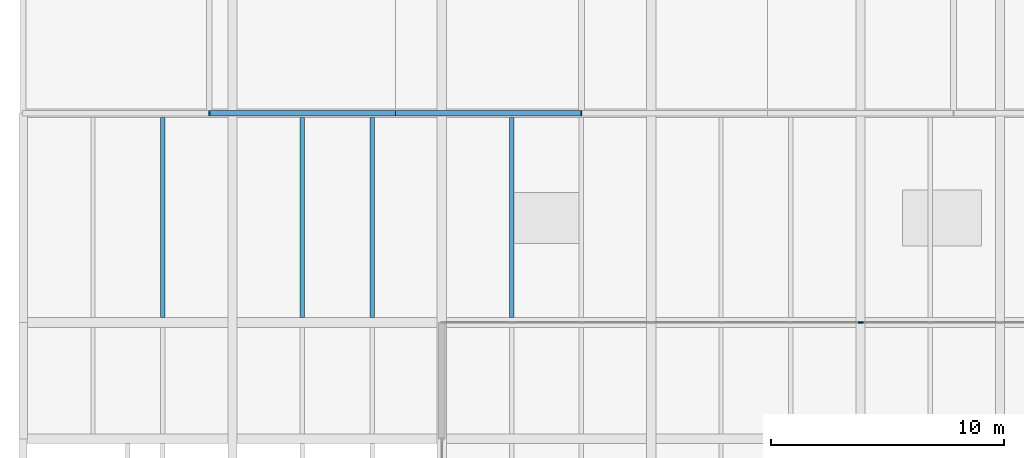
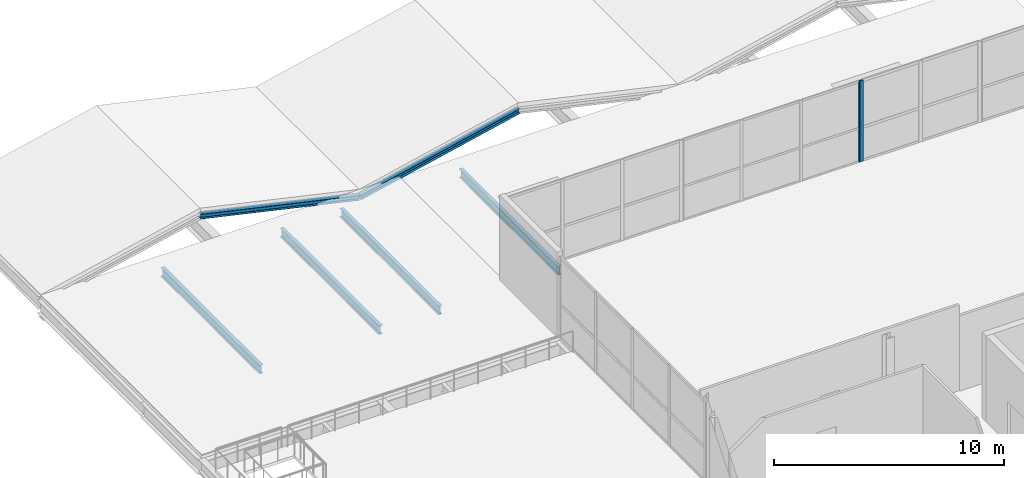
# One storey, part 28 of 50: 6 beams, 2 members, 2 elements without a shape of their own.
"""IFC4 building model written with IfcOpenShell, lengths in metres."""

from ifc_helpers import new_model, si_unit, direction, frame, origin, origin_2d, place, context, subcontext, project, spatial, rectangle, i_section, extrude, material, layer, layer_set, material_profile, profile_set, type_object, element, aggregate, save


model = new_model("IFC4")

# Units and contexts
model_context = context("Model", 3, precision=1e-05, world=origin(), true_north=direction((0.0, 1.0)))
body_context = subcontext(model_context, "Body", "Model", "MODEL_VIEW")
ifc_project = project(units=[si_unit("LENGTHUNIT", "METRE"), si_unit("AREAUNIT", "SQUARE_METRE"), si_unit("VOLUMEUNIT", "CUBIC_METRE"), si_unit("PLANEANGLEUNIT", "RADIAN"), si_unit("MASSUNIT", "GRAM", prefix="KILO")], contexts=[model_context])

# Site, building, storey
site_placement = place(None, origin())
site = spatial("IfcSite", under=ifc_project, at=site_placement, CompositionType="ELEMENT")
building_placement = place(site_placement, origin())
building = spatial("IfcBuilding", under=site, at=building_placement, Name="Qamarlyn Nura Convention Centre", CompositionType="ELEMENT")
storey_placement = place(building_placement, frame((0.0, 0.0, 20.39990234375)))
storey = spatial("IfcBuildingStorey", under=building, at=storey_placement, Name="L04", CompositionType="ELEMENT", Elevation=20.39990234375)

# Beams
ifc_material_1 = material(Name="Steel ASTM A992", Category="steel")
ifc_material_profile_1 = material_profile(ifc_material_1, i_section(OverallWidth=0.18994140625, OverallDepth=0.45703125, WebThickness=0.009033203125, FlangeThickness=0.014404296875, FilletRadius=0.012939453125, at=origin_2d()), Name="W460X74")
ifc_profile_set_1 = profile_set([ifc_material_profile_1], Name="Steel ASTM A992")
beam_type_1 = type_object("IfcBeamType", Name="BM-JOIST-460", PredefinedType="JOIST", material=ifc_profile_set_1)
for number, where, z_axis, x_axis, name in (
    (1, (150.0, 108.208984375, -0.677001953125), (0.0, 1.0, 0.0), (-1.0, 0.0, 0.0), "L04 secondary joist 12-13/N-P-07"),
    (2, (156.0, 108.208984375, -0.677001953125), (0.0, 1.0, 0.0), (-1.0, 0.0, 0.0), "L04 secondary joist 13-14/N-P-22"),
    (3, (159.0, 108.208984375, -0.677001953125), (0.0, 1.0, 0.0), (-1.0, 0.0, 0.0), "L04 secondary joist 13-14/N-P-23"),
    (4, (165.0, 108.208984375, -0.677001953125), (0.0, 1.0, 0.0), (-1.0, 0.0, 0.0), "L04 secondary joist 14-15/N-P-36"),
):
    element("IfcBeam", number, at=place(storey_placement, frame(where, z_axis=z_axis, x_axis=x_axis)), inside=storey, type_object=beam_type_1, Name=name, PredefinedType="JOIST", context=body_context, shape_type="SweptSolid", body=[
        extrude(i_section(OverallWidth=0.18994140625, OverallDepth=0.45703125, WebThickness=0.009033203125, FlangeThickness=0.014404296875, FilletRadius=0.012939453125, at=origin_2d()), origin(), (0.0, 0.0, 1.0), 8.6005859375),
    ])
ifc_material_profile_2 = material_profile(ifc_material_1, i_section(OverallWidth=0.25390625, OverallDepth=0.2529296875, WebThickness=0.008544921875, FlangeThickness=0.01416015625, FilletRadius=0.012939453125, at=origin_2d()), Name="W250X73")
ifc_profile_set_2 = profile_set([ifc_material_profile_2], Name="Steel ASTM A992")
beam_type_2 = type_object("IfcBeamType", Name="BM-PURL-250", PredefinedType="BEAM", material=ifc_profile_set_2)
for number, where, z_axis, x_axis, name in (
    (5, (152.0, 117.0, 1.47998046875), (0.97561485681, 0.0, -0.21948952406), (0.0, 1.0, 0.0), "ROOF TRUSS Plenary rafter 1E-117"),
    (6, (160.0, 117.0, -0.31982421875), (0.97561485681, 0.0, 0.21948952406), (0.0, 1.0, 0.0), "ROOF TRUSS Plenary rafter 2W-117"),
):
    element("IfcBeam", number, at=place(storey_placement, frame(where, z_axis=z_axis, x_axis=x_axis)), inside=storey, type_object=beam_type_2, Name=name, PredefinedType="BEAM", context=body_context, shape_type="SweptSolid", body=[
        extrude(i_section(OverallWidth=0.25390625, OverallDepth=0.2529296875, WebThickness=0.008544921875, FlangeThickness=0.01416015625, FilletRadius=0.012939453125, at=origin_2d()), origin(), (0.0, 0.0, 1.0), 8.199951171875),
    ])

# Curtain wall, member
ifc_material_2 = material(Name="Double-silver low-E insulated glass", Category="glass")
ifc_layer_1 = layer(ifc_material_2, 0.179931640625, Name="CW-UNIT-149")
ifc_layer_set_1 = layer_set([ifc_layer_1], Name="Double-silver low-E insulated glass")
curtain_wall_type_1 = type_object("IfcCurtainWallType", Name="CW-UNIT-149", PredefinedType="NOTDEFINED", material=ifc_layer_set_1)
curtain_wall_1_placement = place(storey_placement, origin())
curtain_wall_1 = element("IfcCurtainWall", 7, at=curtain_wall_1_placement, inside=storey, type_object=curtain_wall_type_1, Name="L04 unitised curtain wall DLN-171-1", PredefinedType="NOTDEFINED")
ifc_material_3 = material(Name="Champagne-anodised marine aluminium", Category="aluminium")
ifc_material_profile_3 = material_profile(ifc_material_3, rectangle(XDim=0.06005859375, YDim=0.139892578125, at=origin_2d()), Name="ALU MULLION 60x140")
ifc_profile_set_3 = profile_set([ifc_material_profile_3], Name="Champagne-anodised marine aluminium")
member_type_1 = type_object("IfcMemberType", Name="CWM-140", PredefinedType="MULLION", material=ifc_profile_set_3)
member_1_placement = place(storey_placement, frame((179.969970703125, 108.0, 0.0), z_axis=(0.0, 0.0, 1.0), x_axis=(0.0, 1.0, 0.0)))
member_1 = element("IfcMember", 8, at=member_1_placement, type_object=member_type_1, Name="CW149 mullion 4", PredefinedType="MULLION", context=body_context, shape_type="SweptSolid", body=[
    extrude(rectangle(XDim=0.06005859375, YDim=0.139892578125, at=origin_2d()), origin(), (0.0, 0.0, 1.0), 4.31005859375),
])
aggregate(curtain_wall_1, [member_1])

ifc_layer_2 = layer(ifc_material_2, 0.179931640625, Name="CW-UNIT-150")
ifc_layer_set_2 = layer_set([ifc_layer_2], Name="Double-silver low-E insulated glass")
curtain_wall_type_2 = type_object("IfcCurtainWallType", Name="CW-UNIT-150", PredefinedType="NOTDEFINED", material=ifc_layer_set_2)
curtain_wall_2_placement = place(storey_placement, origin())
curtain_wall_2 = element("IfcCurtainWall", 9, at=curtain_wall_2_placement, inside=storey, type_object=curtain_wall_type_2, Name="L04 unitised curtain wall DLN-180-1", PredefinedType="NOTDEFINED")
ifc_material_profile_4 = material_profile(ifc_material_3, rectangle(XDim=0.070068359375, YDim=0.179931640625, at=origin_2d()), Name="ALU MULLION 70x180")
ifc_profile_set_4 = profile_set([ifc_material_profile_4], Name="Champagne-anodised marine aluminium")
member_type_2 = type_object("IfcMemberType", Name="CWM-180", PredefinedType="MULLION", material=ifc_profile_set_4)
member_2_placement = place(storey_placement, frame((180.034912109375, 108.0, 0.0), z_axis=(0.0, 0.0, 1.0), x_axis=(0.0, 1.0, 0.0)))
member_2 = element("IfcMember", 10, at=member_2_placement, type_object=member_type_2, Name="CW150 mullion 1", PredefinedType="MULLION", context=body_context, shape_type="SweptSolid", body=[
    extrude(rectangle(XDim=0.070068359375, YDim=0.179931640625, at=origin_2d()), origin(), (0.0, 0.0, 1.0), 4.31005859375),
])
aggregate(curtain_wall_2, [member_2])

save(model, "model.ifc")
